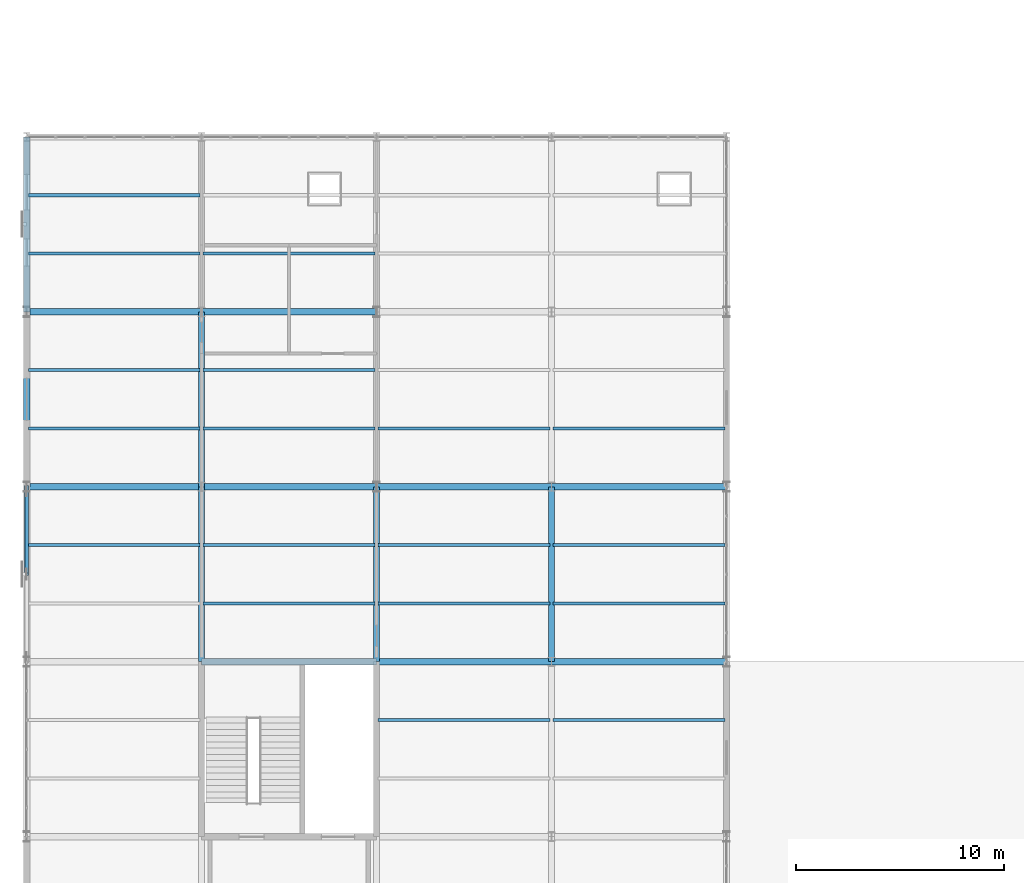
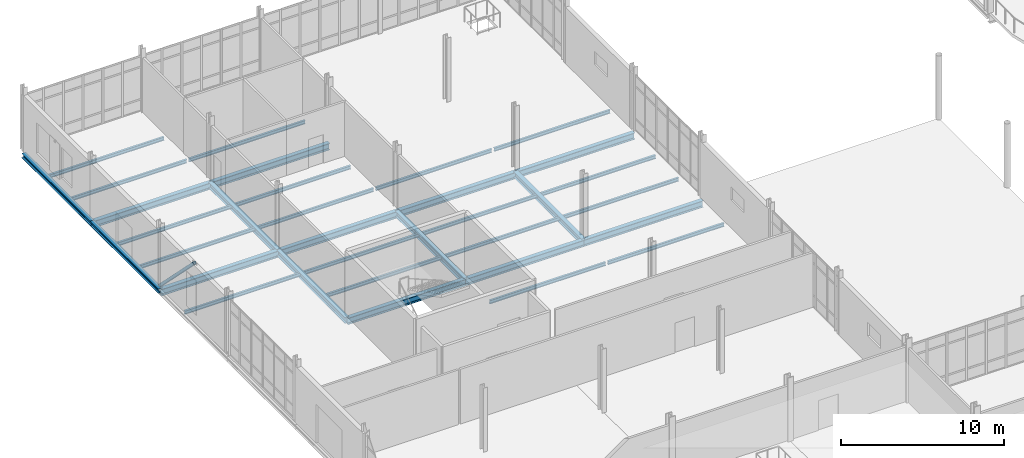
# One storey, part 62 of 145: 33 beams, 1 member.
"""IFC4 building model written with IfcOpenShell, lengths in metres."""

from ifc_helpers import new_model, si_unit, direction, frame, origin, origin_2d, place, context, subcontext, project, spatial, hollow_rectangle, i_section, extrude, material, material_profile, profile_set, type_object, element, save


model = new_model("IFC4")

# Units and contexts
model_context = context("Model", 3, precision=1e-05, world=origin(), true_north=direction((0.0, 1.0)))
body_context = subcontext(model_context, "Body", "Model", "MODEL_VIEW")
ifc_project = project(units=[si_unit("LENGTHUNIT", "METRE"), si_unit("AREAUNIT", "SQUARE_METRE"), si_unit("VOLUMEUNIT", "CUBIC_METRE"), si_unit("PLANEANGLEUNIT", "RADIAN"), si_unit("MASSUNIT", "GRAM", prefix="KILO")], contexts=[model_context])

# Site, building, storey
site_placement = place(None, origin())
site = spatial("IfcSite", under=ifc_project, at=site_placement, CompositionType="ELEMENT")
building_placement = place(site_placement, origin())
building = spatial("IfcBuilding", under=site, at=building_placement, Name="Qalvenar Corner Mobility Hub", CompositionType="ELEMENT")
storey_placement = place(building_placement, origin())
storey = spatial("IfcBuildingStorey", under=building, at=storey_placement, Name="L00", CompositionType="ELEMENT", Elevation=0.0)

# Beams
ifc_material = material(Name="Steel S355", Category="steel")
ifc_material_profile_1 = material_profile(ifc_material, i_section(OverallWidth=0.300048828125, OverallDepth=0.43994140625, WebThickness=0.011474609375, FlangeThickness=0.02099609375, FilletRadius=0.027099609375, at=origin_2d()), Name="HEA450")
ifc_profile_set_1 = profile_set([ifc_material_profile_1], Name="Steel S355")
beam_type_1 = type_object("IfcBeamType", Name="BM-HEA450", PredefinedType="BEAM", material=ifc_profile_set_1)
beam_1_placement = place(storey_placement, frame((8.39990234375, 67.199951171875, -0.43994140625), z_axis=(0.0, 1.0, 0.0), x_axis=(-1.0, 0.0, 0.0)))
element("IfcBeam", 1, at=beam_1_placement, inside=storey, type_object=beam_type_1, Name="Primary Steel Girder GY-0456", PredefinedType="BEAM", context=body_context, shape_type="SweptSolid", body=[
    extrude(i_section(OverallWidth=0.300048828125, OverallDepth=0.43994140625, WebThickness=0.011474609375, FlangeThickness=0.02099609375, FilletRadius=0.027099609375, at=origin_2d()), origin(), (0.0, 0.0, 1.0), 8.400146484375),
])
beam_2_placement = place(storey_placement, frame((8.39990234375, 75.60009765625, -0.43994140625), z_axis=(0.0, 1.0, 0.0), x_axis=(-1.0, 0.0, 0.0)))
element("IfcBeam", 2, at=beam_2_placement, inside=storey, type_object=beam_type_1, Name="Primary Steel Girder GY-0457", PredefinedType="BEAM", context=body_context, shape_type="SweptSolid", body=[
    extrude(i_section(OverallWidth=0.300048828125, OverallDepth=0.43994140625, WebThickness=0.011474609375, FlangeThickness=0.02099609375, FilletRadius=0.027099609375, at=origin_2d()), origin(), (0.0, 0.0, 1.0), 8.39990234375),
])
for number, where, z_axis, x_axis, name in (
    (3, (16.800048828125, 67.199951171875, -0.43994140625), (0.0, 1.0, 0.0), (-1.0, 0.0, 0.0), "Primary Steel Girder GY-0462"),
    (4, (25.199951171875, 67.199951171875, -0.43994140625), (0.0, 1.0, 0.0), (-1.0, 0.0, 0.0), "Primary Steel Girder GY-0468"),
):
    element("IfcBeam", number, at=place(storey_placement, frame(where, z_axis=z_axis, x_axis=x_axis)), inside=storey, type_object=beam_type_1, Name=name, PredefinedType="BEAM", context=body_context, shape_type="SweptSolid", body=[
        extrude(i_section(OverallWidth=0.300048828125, OverallDepth=0.43994140625, WebThickness=0.011474609375, FlangeThickness=0.02099609375, FilletRadius=0.027099609375, at=origin_2d()), origin(), (0.0, 0.0, 1.0), 8.400146484375),
    ])
ifc_material_profile_2 = material_profile(ifc_material, i_section(OverallWidth=0.300048828125, OverallDepth=0.489990234375, WebThickness=0.011962890625, FlangeThickness=0.02294921875, FilletRadius=0.027099609375, at=origin_2d()), Name="HEA500")
ifc_profile_set_2 = profile_set([ifc_material_profile_2], Name="Steel S355")
beam_type_2 = type_object("IfcBeamType", Name="BM-HEA500", PredefinedType="BEAM", material=ifc_profile_set_2)
beam_3_placement = place(storey_placement, frame((8.39990234375, 67.199951171875, -0.465087890625), z_axis=(1.0, 0.0, 0.0), x_axis=(0.0, 1.0, 0.0)))
element("IfcBeam", 5, at=beam_3_placement, inside=storey, type_object=beam_type_2, Name="Primary Steel Girder GX-0432", PredefinedType="BEAM", context=body_context, shape_type="SweptSolid", body=[
    extrude(i_section(OverallWidth=0.300048828125, OverallDepth=0.489990234375, WebThickness=0.011962890625, FlangeThickness=0.02294921875, FilletRadius=0.027099609375, at=origin_2d()), origin(), (0.0, 0.0, 1.0), 8.400146484375),
])
beam_4_placement = place(storey_placement, frame((16.800048828125, 67.199951171875, -0.465087890625), z_axis=(1.0, 0.0, 0.0), x_axis=(0.0, 1.0, 0.0)))
element("IfcBeam", 6, at=beam_4_placement, inside=storey, type_object=beam_type_2, Name="Primary Steel Girder GX-0433", PredefinedType="BEAM", context=body_context, shape_type="SweptSolid", body=[
    extrude(i_section(OverallWidth=0.300048828125, OverallDepth=0.489990234375, WebThickness=0.011962890625, FlangeThickness=0.02294921875, FilletRadius=0.027099609375, at=origin_2d()), origin(), (0.0, 0.0, 1.0), 8.39990234375),
])
beam_5_placement = place(storey_placement, frame((25.199951171875, 67.199951171875, -0.465087890625), z_axis=(1.0, 0.0, 0.0), x_axis=(0.0, 1.0, 0.0)))
element("IfcBeam", 7, at=beam_5_placement, inside=storey, type_object=beam_type_2, Name="Primary Steel Girder GX-0434", PredefinedType="BEAM", context=body_context, shape_type="SweptSolid", body=[
    extrude(i_section(OverallWidth=0.300048828125, OverallDepth=0.489990234375, WebThickness=0.011962890625, FlangeThickness=0.02294921875, FilletRadius=0.027099609375, at=origin_2d()), origin(), (0.0, 0.0, 1.0), 8.400146484375),
])
beam_6_placement = place(storey_placement, frame((0.0, 75.60009765625, -0.465087890625), z_axis=(1.0, 0.0, 0.0), x_axis=(0.0, 1.0, 0.0)))
element("IfcBeam", 8, at=beam_6_placement, inside=storey, type_object=beam_type_2, Name="Primary Steel Girder GX-0435", PredefinedType="BEAM", context=body_context, shape_type="SweptSolid", body=[
    extrude(i_section(OverallWidth=0.300048828125, OverallDepth=0.489990234375, WebThickness=0.011962890625, FlangeThickness=0.02294921875, FilletRadius=0.027099609375, at=origin_2d()), origin(), (0.0, 0.0, 1.0), 8.39990234375),
])
beam_7_placement = place(storey_placement, frame((8.39990234375, 75.60009765625, -0.465087890625), z_axis=(1.0, 0.0, 0.0), x_axis=(0.0, 1.0, 0.0)))
element("IfcBeam", 9, at=beam_7_placement, inside=storey, type_object=beam_type_2, Name="Primary Steel Girder GX-0436", PredefinedType="BEAM", context=body_context, shape_type="SweptSolid", body=[
    extrude(i_section(OverallWidth=0.300048828125, OverallDepth=0.489990234375, WebThickness=0.011962890625, FlangeThickness=0.02294921875, FilletRadius=0.027099609375, at=origin_2d()), origin(), (0.0, 0.0, 1.0), 8.400146484375),
])
beam_8_placement = place(storey_placement, frame((16.800048828125, 75.60009765625, -0.465087890625), z_axis=(1.0, 0.0, 0.0), x_axis=(0.0, 1.0, 0.0)))
element("IfcBeam", 10, at=beam_8_placement, inside=storey, type_object=beam_type_2, Name="Primary Steel Girder GX-0437", PredefinedType="BEAM", context=body_context, shape_type="SweptSolid", body=[
    extrude(i_section(OverallWidth=0.300048828125, OverallDepth=0.489990234375, WebThickness=0.011962890625, FlangeThickness=0.02294921875, FilletRadius=0.027099609375, at=origin_2d()), origin(), (0.0, 0.0, 1.0), 8.39990234375),
])
beam_9_placement = place(storey_placement, frame((25.199951171875, 75.60009765625, -0.465087890625), z_axis=(1.0, 0.0, 0.0), x_axis=(0.0, 1.0, 0.0)))
element("IfcBeam", 11, at=beam_9_placement, inside=storey, type_object=beam_type_2, Name="Primary Steel Girder GX-0438", PredefinedType="BEAM", context=body_context, shape_type="SweptSolid", body=[
    extrude(i_section(OverallWidth=0.300048828125, OverallDepth=0.489990234375, WebThickness=0.011962890625, FlangeThickness=0.02294921875, FilletRadius=0.027099609375, at=origin_2d()), origin(), (0.0, 0.0, 1.0), 8.400146484375),
])
beam_10_placement = place(storey_placement, frame((0.0, 84.0, -0.465087890625), z_axis=(1.0, 0.0, 0.0), x_axis=(0.0, 1.0, 0.0)))
element("IfcBeam", 12, at=beam_10_placement, inside=storey, type_object=beam_type_2, Name="Primary Steel Girder GX-0439", PredefinedType="BEAM", context=body_context, shape_type="SweptSolid", body=[
    extrude(i_section(OverallWidth=0.300048828125, OverallDepth=0.489990234375, WebThickness=0.011962890625, FlangeThickness=0.02294921875, FilletRadius=0.027099609375, at=origin_2d()), origin(), (0.0, 0.0, 1.0), 8.39990234375),
])
beam_11_placement = place(storey_placement, frame((8.39990234375, 84.0, -0.465087890625), z_axis=(1.0, 0.0, 0.0), x_axis=(0.0, 1.0, 0.0)))
element("IfcBeam", 13, at=beam_11_placement, inside=storey, type_object=beam_type_2, Name="Primary Steel Girder GX-0440", PredefinedType="BEAM", context=body_context, shape_type="SweptSolid", body=[
    extrude(i_section(OverallWidth=0.300048828125, OverallDepth=0.489990234375, WebThickness=0.011962890625, FlangeThickness=0.02294921875, FilletRadius=0.027099609375, at=origin_2d()), origin(), (0.0, 0.0, 1.0), 8.400146484375),
])
ifc_material_profile_3 = material_profile(ifc_material, i_section(OverallWidth=0.14599609375, OverallDepth=0.258056640625, WebThickness=0.006103515625, FlangeThickness=0.009033203125, FilletRadius=0.011962890625, at=origin_2d()), Name="W250x32.7")
ifc_profile_set_3 = profile_set([ifc_material_profile_3], Name="Steel S355")
beam_type_3 = type_object("IfcBeamType", Name="BM-JST250", PredefinedType="JOIST", material=ifc_profile_set_3)
for number, where, z_axis, x_axis, name in (
    (14, (0.077880859375, 72.800048828125, -0.34912109375), (1.0, 0.0, 0.0), (0.0, 1.0, 0.0), "Composite Floor Joist J-0484"),
    (15, (0.077880859375, 78.39990234375, -0.34912109375), (1.0, 0.0, 0.0), (0.0, 1.0, 0.0), "Composite Floor Joist J-0485"),
    (16, (0.077880859375, 81.199951171875, -0.34912109375), (1.0, 0.0, 0.0), (0.0, 1.0, 0.0), "Composite Floor Joist J-0486"),
    (17, (0.077880859375, 86.800048828125, -0.34912109375), (1.0, 0.0, 0.0), (0.0, 1.0, 0.0), "Composite Floor Joist J-0487"),
    (18, (0.077880859375, 89.60009765625, -0.34912109375), (1.0, 0.0, 0.0), (0.0, 1.0, 0.0), "Composite Floor Joist J-0488"),
):
    element("IfcBeam", number, at=place(storey_placement, frame(where, z_axis=z_axis, x_axis=x_axis)), inside=storey, type_object=beam_type_3, Name=name, PredefinedType="JOIST", context=body_context, shape_type="SweptSolid", body=[
        extrude(i_section(OverallWidth=0.14599609375, OverallDepth=0.258056640625, WebThickness=0.006103515625, FlangeThickness=0.009033203125, FilletRadius=0.011962890625, at=origin_2d()), origin(), (0.0, 0.0, 1.0), 8.244140625),
    ])
for number, where, z_axis, x_axis, name in (
    (19, (8.47802734375, 70.0, -0.34912109375), (1.0, 0.0, 0.0), (0.0, 1.0, 0.0), "Composite Floor Joist J-0493"),
    (20, (8.47802734375, 72.800048828125, -0.34912109375), (1.0, 0.0, 0.0), (0.0, 1.0, 0.0), "Composite Floor Joist J-0494"),
    (21, (8.47802734375, 78.39990234375, -0.34912109375), (1.0, 0.0, 0.0), (0.0, 1.0, 0.0), "Composite Floor Joist J-0495"),
    (22, (8.47802734375, 81.199951171875, -0.34912109375), (1.0, 0.0, 0.0), (0.0, 1.0, 0.0), "Composite Floor Joist J-0496"),
    (23, (8.47802734375, 86.800048828125, -0.34912109375), (1.0, 0.0, 0.0), (0.0, 1.0, 0.0), "Composite Floor Joist J-0497"),
):
    element("IfcBeam", number, at=place(storey_placement, frame(where, z_axis=z_axis, x_axis=x_axis)), inside=storey, type_object=beam_type_3, Name=name, PredefinedType="JOIST", context=body_context, shape_type="SweptSolid", body=[
        extrude(i_section(OverallWidth=0.14599609375, OverallDepth=0.258056640625, WebThickness=0.006103515625, FlangeThickness=0.009033203125, FilletRadius=0.011962890625, at=origin_2d()), origin(), (0.0, 0.0, 1.0), 8.243896484375),
    ])
for number, where, z_axis, x_axis, name in (
    (24, (16.8779296875, 64.39990234375, -0.34912109375), (1.0, 0.0, 0.0), (0.0, 1.0, 0.0), "Composite Floor Joist J-0504"),
    (25, (16.8779296875, 70.0, -0.34912109375), (1.0, 0.0, 0.0), (0.0, 1.0, 0.0), "Composite Floor Joist J-0505"),
    (26, (16.8779296875, 72.800048828125, -0.34912109375), (1.0, 0.0, 0.0), (0.0, 1.0, 0.0), "Composite Floor Joist J-0506"),
    (27, (16.8779296875, 78.39990234375, -0.34912109375), (1.0, 0.0, 0.0), (0.0, 1.0, 0.0), "Composite Floor Joist J-0507"),
):
    element("IfcBeam", number, at=place(storey_placement, frame(where, z_axis=z_axis, x_axis=x_axis)), inside=storey, type_object=beam_type_3, Name=name, PredefinedType="JOIST", context=body_context, shape_type="SweptSolid", body=[
        extrude(i_section(OverallWidth=0.14599609375, OverallDepth=0.258056640625, WebThickness=0.006103515625, FlangeThickness=0.009033203125, FilletRadius=0.011962890625, at=origin_2d()), origin(), (0.0, 0.0, 1.0), 8.244140625),
    ])
for number, where, z_axis, x_axis, name in (
    (28, (25.278076171875, 64.39990234375, -0.34912109375), (1.0, 0.0, 0.0), (0.0, 1.0, 0.0), "Composite Floor Joist J-0516"),
    (29, (25.278076171875, 70.0, -0.34912109375), (1.0, 0.0, 0.0), (0.0, 1.0, 0.0), "Composite Floor Joist J-0517"),
    (30, (25.278076171875, 72.800048828125, -0.34912109375), (1.0, 0.0, 0.0), (0.0, 1.0, 0.0), "Composite Floor Joist J-0518"),
    (31, (25.278076171875, 78.39990234375, -0.34912109375), (1.0, 0.0, 0.0), (0.0, 1.0, 0.0), "Composite Floor Joist J-0519"),
):
    element("IfcBeam", number, at=place(storey_placement, frame(where, z_axis=z_axis, x_axis=x_axis)), inside=storey, type_object=beam_type_3, Name=name, PredefinedType="JOIST", context=body_context, shape_type="SweptSolid", body=[
        extrude(i_section(OverallWidth=0.14599609375, OverallDepth=0.258056640625, WebThickness=0.006103515625, FlangeThickness=0.009033203125, FilletRadius=0.011962890625, at=origin_2d()), origin(), (0.0, 0.0, 1.0), 8.243896484375),
    ])
ifc_material_profile_4 = material_profile(ifc_material, i_section(OverallWidth=0.300048828125, OverallDepth=0.330078125, WebThickness=0.009521484375, FlangeThickness=0.0166015625, FilletRadius=0.027099609375, at=origin_2d()), Name="HEA340")
ifc_profile_set_4 = profile_set([ifc_material_profile_4], Name="Steel S355")
beam_type_4 = type_object("IfcBeamType", Name="BM-SPN340", PredefinedType="SPANDREL", material=ifc_profile_set_4)
for number, where, z_axis, x_axis, name in (
    (32, (0.0, 75.60009765625, -0.385009765625), (0.0, 1.0, 0.0), (-1.0, 0.0, 0.0), "Primary Steel Girder GY-0451"),
    (33, (0.0, 84.0, -0.385009765625), (0.0, 1.0, 0.0), (-1.0, 0.0, 0.0), "Primary Steel Girder GY-0452"),
):
    element("IfcBeam", number, at=place(storey_placement, frame(where, z_axis=z_axis, x_axis=x_axis)), inside=storey, type_object=beam_type_4, Name=name, PredefinedType="SPANDREL", context=body_context, shape_type="SweptSolid", body=[
        extrude(i_section(OverallWidth=0.300048828125, OverallDepth=0.330078125, WebThickness=0.009521484375, FlangeThickness=0.0166015625, FilletRadius=0.027099609375, at=origin_2d()), origin(), (0.0, 0.0, 1.0), 8.39990234375),
    ])

# Member
ifc_material_profile_5 = material_profile(ifc_material, hollow_rectangle(XDim=0.199951171875, YDim=0.199951171875, WallThickness=0.008056640625, InnerFilletRadius=0.008056640625, OuterFilletRadius=0.01611328125, at=origin_2d()), Name="SHS200x200x8")
ifc_profile_set_5 = profile_set([ifc_material_profile_5], Name="Steel S355")
member_type = type_object("IfcMemberType", Name="BR-RHS200", PredefinedType="BRACE", material=ifc_profile_set_5)
member_placement = place(storey_placement, frame((0.0, 75.60009765625, 0.02001953125), z_axis=(0.0, -0.7054441424, 0.708765519727), x_axis=(1.0, 0.0, 0.0)))
element("IfcMember", 34, at=member_placement, inside=storey, type_object=member_type, Name="Chevron Lateral Brace BR-048", PredefinedType="BRACE", context=body_context, shape_type="SweptSolid", body=[
    extrude(hollow_rectangle(XDim=0.199951171875, YDim=0.199951171875, WallThickness=0.008056640625, InnerFilletRadius=0.008056640625, OuterFilletRadius=0.01611328125, at=origin_2d()), origin(), (0.0, 0.0, 1.0), 5.953857421875),
])

save(model, "model.ifc")
